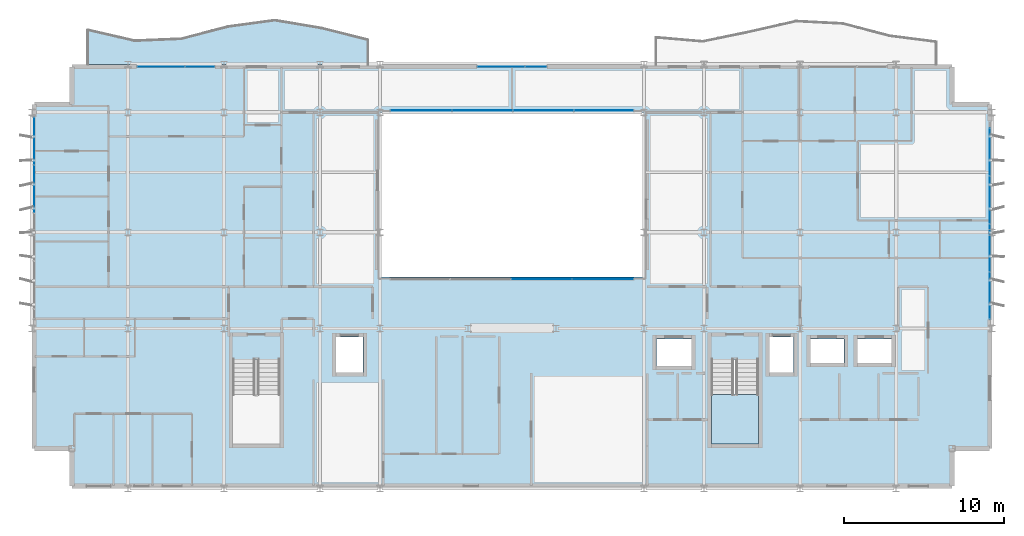
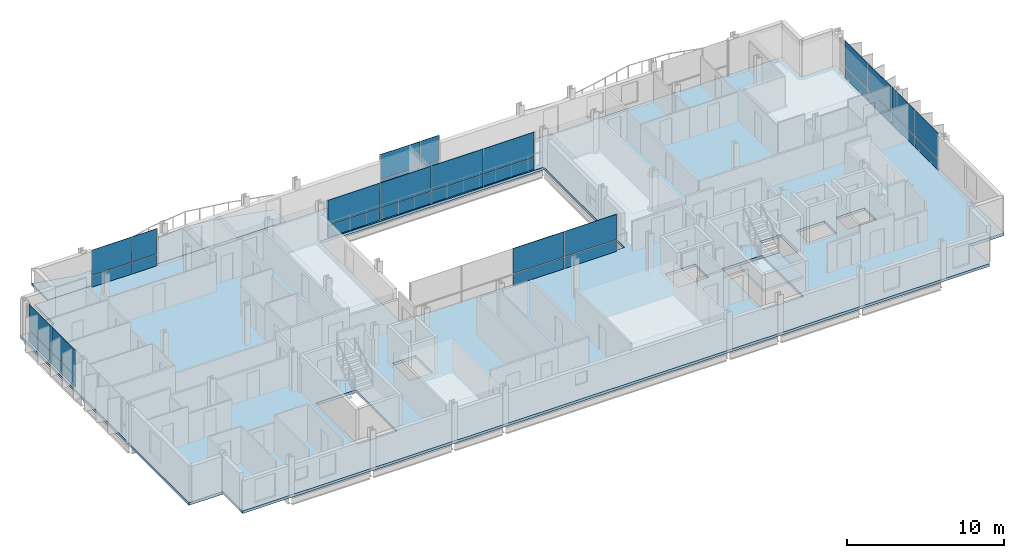
# One storey, part 26 of 38: 32 plates, 3 slabs, 7 elements without a shape of their own.
"""IFC4 building model written with IfcOpenShell, lengths in metres."""

from ifc_helpers import new_model, si_unit, direction, frame, origin, origin_2d, place, context, subcontext, project, spatial, polyline, rectangle, outline, extrude, material, layer, layer_set, type_object, element, aggregate, save


model = new_model("IFC4")

# Units and contexts
model_context = context("Model", 3, precision=1e-05, world=origin(), true_north=direction((0.0, 1.0)))
body_context = subcontext(model_context, "Body", "Model", "MODEL_VIEW")
ifc_project = project(units=[si_unit("LENGTHUNIT", "METRE"), si_unit("AREAUNIT", "SQUARE_METRE"), si_unit("VOLUMEUNIT", "CUBIC_METRE"), si_unit("PLANEANGLEUNIT", "RADIAN"), si_unit("MASSUNIT", "GRAM", prefix="KILO")], contexts=[model_context])

# Site, building, storey
site_placement = place(None, origin())
site = spatial("IfcSite", under=ifc_project, at=site_placement, CompositionType="ELEMENT")
building_placement = place(site_placement, origin())
building = spatial("IfcBuilding", under=site, at=building_placement, Name="Brevholm Reach", CompositionType="ELEMENT")
storey_placement = place(building_placement, frame((0.0, 0.0, 186.300048828125)))
storey = spatial("IfcBuildingStorey", under=building, at=storey_placement, Name="L56", CompositionType="ELEMENT", Elevation=186.300048828125)

# Curtain wall, plates
ifc_material_1 = material(Name="Dark Anodised Aluminium 6063-T6 and Solar-Control Glass", Category="aluminium")
ifc_layer_1 = layer(ifc_material_1, 0.14990234375)
ifc_layer_set_1 = layer_set([ifc_layer_1], Name="Dark Anodised Aluminium 6063-T6 and Solar-Control Glass")
curtain_wall_type_1 = type_object("IfcCurtainWallType", Name="CW-01", PredefinedType="NOTDEFINED", material=ifc_layer_set_1)
curtain_wall_1_placement = place(storey_placement, origin())
curtain_wall_1 = element("IfcCurtainWall", 1, at=curtain_wall_1_placement, inside=storey, type_object=curtain_wall_type_1, Name="L56 Curtain Wall CW-01", PredefinedType="NOTDEFINED")
ifc_material_2 = material(Name="Dark Solar-Control Double-Glazed IGU Glass", Category="glass")
ifc_layer_2 = layer(ifc_material_2, 0.028076171875)
ifc_layer_set_2 = layer_set([ifc_layer_2], Name="Dark Solar-Control Double-Glazed IGU Glass")
plate_type_1 = type_object("IfcPlateType", Name="CWP-GLZ-28", PredefinedType="CURTAIN_PANEL", material=ifc_layer_set_2)
plate_1_placement = place(storey_placement, frame((0.14990234375, 21.703857421875, 0.0), z_axis=(0.0, 0.0, 1.0), x_axis=(0.0, -1.0, 0.0)))
plate_1 = element("IfcPlate", 2, at=plate_1_placement, type_object=plate_type_1, Name="CP-01 Glazing Panel 1.1", PredefinedType="CURTAIN_PANEL", context=body_context, shape_type="SweptSolid", body=[
    extrude(rectangle(XDim=2.902587890625, YDim=0.028076171875, at=origin_2d()), origin(), (0.0, 0.0, 1.0), 0.867431640625),
])
plate_2_placement = place(storey_placement, frame((0.14990234375, 21.703857421875, 0.932373046875), z_axis=(0.0, 0.0, 1.0), x_axis=(0.0, -1.0, 0.0)))
plate_2 = element("IfcPlate", 3, at=plate_2_placement, type_object=plate_type_1, Name="CP-01 Glazing Panel 1.2", PredefinedType="CURTAIN_PANEL", context=body_context, shape_type="SweptSolid", body=[
    extrude(rectangle(XDim=2.902587890625, YDim=0.028076171875, at=origin_2d()), origin(), (0.0, 0.0, 1.0), 1.95751953125),
])
plate_3_placement = place(storey_placement, frame((0.14990234375, 18.719970703125, 0.0), z_axis=(0.0, 0.0, 1.0), x_axis=(0.0, -1.0, 0.0)))
plate_3 = element("IfcPlate", 4, at=plate_3_placement, type_object=plate_type_1, Name="CP-01 Glazing Panel 2.1", PredefinedType="CURTAIN_PANEL", context=body_context, shape_type="SweptSolid", body=[
    extrude(rectangle(XDim=2.93505859375, YDim=0.028076171875, at=origin_2d()), origin(), (0.0, 0.0, 1.0), 0.867431640625),
])
plate_4_placement = place(storey_placement, frame((0.14990234375, 18.719970703125, 0.932373046875), z_axis=(0.0, 0.0, 1.0), x_axis=(0.0, -1.0, 0.0)))
plate_4 = element("IfcPlate", 5, at=plate_4_placement, type_object=plate_type_1, Name="CP-01 Glazing Panel 2.2", PredefinedType="CURTAIN_PANEL", context=body_context, shape_type="SweptSolid", body=[
    extrude(rectangle(XDim=2.93505859375, YDim=0.028076171875, at=origin_2d()), origin(), (0.0, 0.0, 1.0), 1.95751953125),
])
aggregate(curtain_wall_1, [plate_1, plate_2, plate_3, plate_4])

curtain_wall_2_placement = place(storey_placement, origin())
curtain_wall_2 = element("IfcCurtainWall", 6, at=curtain_wall_2_placement, inside=storey, type_object=curtain_wall_type_1, Name="L56 Curtain Wall CW-01", PredefinedType="NOTDEFINED")
plate_5_placement = place(storey_placement, frame((59.85009765625, 12.066162109375, 0.0), z_axis=(0.0, 0.0, 1.0), x_axis=(0.0, 1.0, 0.0)))
plate_5 = element("IfcPlate", 7, at=plate_5_placement, type_object=plate_type_1, Name="CP-01 Glazing Panel 1.1", PredefinedType="CURTAIN_PANEL", context=body_context, shape_type="SweptSolid", body=[
    extrude(rectangle(XDim=2.902587890625, YDim=0.028076171875, at=origin_2d()), origin(), (0.0, 0.0, 1.0), 0.867431640625),
])
plate_6_placement = place(storey_placement, frame((59.85009765625, 12.066162109375, 0.932373046875), z_axis=(0.0, 0.0, 1.0), x_axis=(0.0, 1.0, 0.0)))
plate_6 = element("IfcPlate", 8, at=plate_6_placement, type_object=plate_type_1, Name="CP-01 Glazing Panel 1.2", PredefinedType="CURTAIN_PANEL", context=body_context, shape_type="SweptSolid", body=[
    extrude(rectangle(XDim=2.902587890625, YDim=0.028076171875, at=origin_2d()), origin(), (0.0, 0.0, 1.0), 1.95751953125),
])
plate_7_placement = place(storey_placement, frame((59.85009765625, 15.050048828125, 0.0), z_axis=(0.0, 0.0, 1.0), x_axis=(0.0, 1.0, 0.0)))
plate_7 = element("IfcPlate", 9, at=plate_7_placement, type_object=plate_type_1, Name="CP-01 Glazing Panel 2.1", PredefinedType="CURTAIN_PANEL", context=body_context, shape_type="SweptSolid", body=[
    extrude(rectangle(XDim=2.93505859375, YDim=0.028076171875, at=origin_2d()), origin(), (0.0, 0.0, 1.0), 0.867431640625),
])
plate_8_placement = place(storey_placement, frame((59.85009765625, 15.050048828125, 0.932373046875), z_axis=(0.0, 0.0, 1.0), x_axis=(0.0, 1.0, 0.0)))
plate_8 = element("IfcPlate", 10, at=plate_8_placement, type_object=plate_type_1, Name="CP-01 Glazing Panel 2.2", PredefinedType="CURTAIN_PANEL", context=body_context, shape_type="SweptSolid", body=[
    extrude(rectangle(XDim=2.93505859375, YDim=0.028076171875, at=origin_2d()), origin(), (0.0, 0.0, 1.0), 1.95751953125),
])
plate_9_placement = place(storey_placement, frame((59.85009765625, 18.050048828125, 0.0), z_axis=(0.0, 0.0, 1.0), x_axis=(0.0, 1.0, 0.0)))
plate_9 = element("IfcPlate", 11, at=plate_9_placement, type_object=plate_type_1, Name="CP-01 Glazing Panel 3.1", PredefinedType="CURTAIN_PANEL", context=body_context, shape_type="SweptSolid", body=[
    extrude(rectangle(XDim=2.93505859375, YDim=0.028076171875, at=origin_2d()), origin(), (0.0, 0.0, 1.0), 0.867431640625),
])
plate_10_placement = place(storey_placement, frame((59.85009765625, 18.050048828125, 0.932373046875), z_axis=(0.0, 0.0, 1.0), x_axis=(0.0, 1.0, 0.0)))
plate_10 = element("IfcPlate", 12, at=plate_10_placement, type_object=plate_type_1, Name="CP-01 Glazing Panel 3.2", PredefinedType="CURTAIN_PANEL", context=body_context, shape_type="SweptSolid", body=[
    extrude(rectangle(XDim=2.93505859375, YDim=0.028076171875, at=origin_2d()), origin(), (0.0, 0.0, 1.0), 1.95751953125),
])
plate_11_placement = place(storey_placement, frame((59.85009765625, 21.050048828125, 0.0), z_axis=(0.0, 0.0, 1.0), x_axis=(0.0, 1.0, 0.0)))
plate_11 = element("IfcPlate", 13, at=plate_11_placement, type_object=plate_type_1, Name="CP-01 Glazing Panel 4.1", PredefinedType="CURTAIN_PANEL", context=body_context, shape_type="SweptSolid", body=[
    extrude(rectangle(XDim=2.93505859375, YDim=0.028076171875, at=origin_2d()), origin(), (0.0, 0.0, 1.0), 0.867431640625),
])
plate_12_placement = place(storey_placement, frame((59.85009765625, 21.050048828125, 0.932373046875), z_axis=(0.0, 0.0, 1.0), x_axis=(0.0, 1.0, 0.0)))
plate_12 = element("IfcPlate", 14, at=plate_12_placement, type_object=plate_type_1, Name="CP-01 Glazing Panel 4.2", PredefinedType="CURTAIN_PANEL", context=body_context, shape_type="SweptSolid", body=[
    extrude(rectangle(XDim=2.93505859375, YDim=0.028076171875, at=origin_2d()), origin(), (0.0, 0.0, 1.0), 1.95751953125),
])
aggregate(curtain_wall_2, [plate_5, plate_6, plate_7, plate_8, plate_9, plate_10, plate_11, plate_12])

curtain_wall_3_placement = place(storey_placement, origin())
curtain_wall_3 = element("IfcCurtainWall", 15, at=curtain_wall_3_placement, inside=storey, type_object=curtain_wall_type_1, Name="L56 Curtain Wall CW-01", PredefinedType="NOTDEFINED")
plate_13_placement = place(storey_placement, frame((8.066162109375, 26.35009765625, 0.0), z_axis=(0.0, 0.0, 1.0), x_axis=(1.0, 0.0, 0.0)))
plate_13 = element("IfcPlate", 16, at=plate_13_placement, type_object=plate_type_1, Name="CP-01 Glazing Panel 1.1", PredefinedType="CURTAIN_PANEL", context=body_context, shape_type="SweptSolid", body=[
    extrude(rectangle(XDim=2.902587890625, YDim=0.028076171875, at=origin_2d()), origin(), (0.0, 0.0, 1.0), 0.867431640625),
])
plate_14_placement = place(storey_placement, frame((8.066162109375, 26.35009765625, 0.932373046875), z_axis=(0.0, 0.0, 1.0), x_axis=(1.0, 0.0, 0.0)))
plate_14 = element("IfcPlate", 17, at=plate_14_placement, type_object=plate_type_1, Name="CP-01 Glazing Panel 1.2", PredefinedType="CURTAIN_PANEL", context=body_context, shape_type="SweptSolid", body=[
    extrude(rectangle(XDim=2.902587890625, YDim=0.028076171875, at=origin_2d()), origin(), (0.0, 0.0, 1.0), 1.95751953125),
])
plate_15_placement = place(storey_placement, frame((10.483642578125, 26.35009765625, 0.0), z_axis=(0.0, 0.0, 1.0), x_axis=(1.0, 0.0, 0.0)))
plate_15 = element("IfcPlate", 18, at=plate_15_placement, type_object=plate_type_1, Name="CP-01 Glazing Panel 2.1", PredefinedType="CURTAIN_PANEL", context=body_context, shape_type="SweptSolid", body=[
    extrude(rectangle(XDim=1.802490234375, YDim=0.028076171875, at=origin_2d()), origin(), (0.0, 0.0, 1.0), 0.867431640625),
])
plate_16_placement = place(storey_placement, frame((10.483642578125, 26.35009765625, 0.932373046875), z_axis=(0.0, 0.0, 1.0), x_axis=(1.0, 0.0, 0.0)))
plate_16 = element("IfcPlate", 19, at=plate_16_placement, type_object=plate_type_1, Name="CP-01 Glazing Panel 2.2", PredefinedType="CURTAIN_PANEL", context=body_context, shape_type="SweptSolid", body=[
    extrude(rectangle(XDim=1.802490234375, YDim=0.028076171875, at=origin_2d()), origin(), (0.0, 0.0, 1.0), 1.95751953125),
])
aggregate(curtain_wall_3, [plate_13, plate_14, plate_15, plate_16])

curtain_wall_4_placement = place(storey_placement, origin())
curtain_wall_4 = element("IfcCurtainWall", 20, at=curtain_wall_4_placement, inside=storey, type_object=curtain_wall_type_1, Name="L56 Curtain Wall CW-01", PredefinedType="NOTDEFINED")
plate_17_placement = place(storey_placement, frame((29.316162109375, 26.35009765625, 0.0), z_axis=(0.0, 0.0, 1.0), x_axis=(1.0, 0.0, 0.0)))
plate_17 = element("IfcPlate", 21, at=plate_17_placement, type_object=plate_type_1, Name="CP-01 Glazing Panel 1.1", PredefinedType="CURTAIN_PANEL", context=body_context, shape_type="SweptSolid", body=[
    extrude(rectangle(XDim=2.902587890625, YDim=0.028076171875, at=origin_2d()), origin(), (0.0, 0.0, 1.0), 0.867431640625),
])
plate_18_placement = place(storey_placement, frame((29.316162109375, 26.35009765625, 0.932373046875), z_axis=(0.0, 0.0, 1.0), x_axis=(1.0, 0.0, 0.0)))
plate_18 = element("IfcPlate", 22, at=plate_18_placement, type_object=plate_type_1, Name="CP-01 Glazing Panel 1.2", PredefinedType="CURTAIN_PANEL", context=body_context, shape_type="SweptSolid", body=[
    extrude(rectangle(XDim=2.902587890625, YDim=0.028076171875, at=origin_2d()), origin(), (0.0, 0.0, 1.0), 1.95751953125),
])
plate_19_placement = place(storey_placement, frame((31.483642578125, 26.35009765625, 0.0), z_axis=(0.0, 0.0, 1.0), x_axis=(1.0, 0.0, 0.0)))
plate_19 = element("IfcPlate", 23, at=plate_19_placement, type_object=plate_type_1, Name="CP-01 Glazing Panel 2.1", PredefinedType="CURTAIN_PANEL", context=body_context, shape_type="SweptSolid", body=[
    extrude(rectangle(XDim=1.302490234375, YDim=0.028076171875, at=origin_2d()), origin(), (0.0, 0.0, 1.0), 0.867431640625),
])
plate_20_placement = place(storey_placement, frame((31.483642578125, 26.35009765625, 0.932373046875), z_axis=(0.0, 0.0, 1.0), x_axis=(1.0, 0.0, 0.0)))
plate_20 = element("IfcPlate", 24, at=plate_20_placement, type_object=plate_type_1, Name="CP-01 Glazing Panel 2.2", PredefinedType="CURTAIN_PANEL", context=body_context, shape_type="SweptSolid", body=[
    extrude(rectangle(XDim=1.302490234375, YDim=0.028076171875, at=origin_2d()), origin(), (0.0, 0.0, 1.0), 1.95751953125),
])
aggregate(curtain_wall_4, [plate_17, plate_18, plate_19, plate_20])

ifc_material_3 = material(Name="Dark Anodised Aluminium 6063-T6 and Solar-Control Glass", Category="aluminium")
ifc_layer_3 = layer(ifc_material_3, 0.139892578125)
ifc_layer_set_3 = layer_set([ifc_layer_3], Name="Dark Anodised Aluminium 6063-T6 and Solar-Control Glass")
curtain_wall_type_2 = type_object("IfcCurtainWallType", Name="CW-02", PredefinedType="NOTDEFINED", material=ifc_layer_set_3)
curtain_wall_5_placement = place(storey_placement, origin())
curtain_wall_5 = element("IfcCurtainWall", 25, at=curtain_wall_5_placement, inside=storey, type_object=curtain_wall_type_2, Name="L56 Curtain Wall CW-02", PredefinedType="NOTDEFINED")
ifc_material_4 = material(Name="Low-Iron Laminated Acoustic Glass", Category="glass")
ifc_layer_4 = layer(ifc_material_4, 0.035888671875)
ifc_layer_set_4 = layer_set([ifc_layer_4], Name="Low-Iron Laminated Acoustic Glass")
plate_type_2 = type_object("IfcPlateType", Name="CWP-GLZ-36", PredefinedType="CURTAIN_PANEL", material=ifc_layer_set_4)
plate_21_placement = place(storey_placement, frame((31.85009765625, 13.080078125, 0.0), z_axis=(0.0, 0.0, 1.0), x_axis=(1.0, 0.0, 0.0)))
plate_21 = element("IfcPlate", 26, at=plate_21_placement, type_object=plate_type_2, Name="CP-02 Glazing Panel 3.1", PredefinedType="CURTAIN_PANEL", context=body_context, shape_type="SweptSolid", body=[
    extrude(rectangle(XDim=3.739990234375, YDim=0.035888671875, at=origin_2d()), origin(), (0.0, 0.0, 1.0), 0.8701171875),
])
plate_22_placement = place(storey_placement, frame((31.85009765625, 13.080078125, 0.929931640625), z_axis=(0.0, 0.0, 1.0), x_axis=(1.0, 0.0, 0.0)))
plate_22 = element("IfcPlate", 27, at=plate_22_placement, type_object=plate_type_2, Name="CP-02 Glazing Panel 3.2", PredefinedType="CURTAIN_PANEL", context=body_context, shape_type="SweptSolid", body=[
    extrude(rectangle(XDim=3.739990234375, YDim=0.035888671875, at=origin_2d()), origin(), (0.0, 0.0, 1.0), 1.9599609375),
])
plate_23_placement = place(storey_placement, frame((35.68505859375, 13.080078125, 0.0), z_axis=(0.0, 0.0, 1.0), x_axis=(1.0, 0.0, 0.0)))
plate_23 = element("IfcPlate", 28, at=plate_23_placement, type_object=plate_type_2, Name="CP-02 Glazing Panel 4.1", PredefinedType="CURTAIN_PANEL", context=body_context, shape_type="SweptSolid", body=[
    extrude(rectangle(XDim=3.81005859375, YDim=0.035888671875, at=origin_2d()), origin(), (0.0, 0.0, 1.0), 0.8701171875),
])
plate_24_placement = place(storey_placement, frame((35.68505859375, 13.080078125, 0.929931640625), z_axis=(0.0, 0.0, 1.0), x_axis=(1.0, 0.0, 0.0)))
plate_24 = element("IfcPlate", 29, at=plate_24_placement, type_object=plate_type_2, Name="CP-02 Glazing Panel 4.2", PredefinedType="CURTAIN_PANEL", context=body_context, shape_type="SweptSolid", body=[
    extrude(rectangle(XDim=3.81005859375, YDim=0.035888671875, at=origin_2d()), origin(), (0.0, 0.0, 1.0), 1.9599609375),
])
aggregate(curtain_wall_5, [plate_21, plate_22, plate_23, plate_24])

curtain_wall_6_placement = place(storey_placement, origin())
curtain_wall_6 = element("IfcCurtainWall", 30, at=curtain_wall_6_placement, inside=storey, type_object=curtain_wall_type_2, Name="L56 Curtain Wall CW-02", PredefinedType="NOTDEFINED")
plate_25_placement = place(storey_placement, frame((35.735107421875, 23.6201171875, 0.0), z_axis=(0.0, 0.0, 1.0), x_axis=(-1.0, 0.0, 0.0)))
plate_25 = element("IfcPlate", 31, at=plate_25_placement, type_object=plate_type_2, Name="CP-02 Glazing Panel 1.1", PredefinedType="CURTAIN_PANEL", context=body_context, shape_type="SweptSolid", body=[
    extrude(rectangle(XDim=3.7099609375, YDim=0.035888671875, at=origin_2d()), origin(), (0.0, 0.0, 1.0), 0.8701171875),
])
plate_26_placement = place(storey_placement, frame((35.735107421875, 23.6201171875, 0.929931640625), z_axis=(0.0, 0.0, 1.0), x_axis=(-1.0, 0.0, 0.0)))
plate_26 = element("IfcPlate", 32, at=plate_26_placement, type_object=plate_type_2, Name="CP-02 Glazing Panel 1.2", PredefinedType="CURTAIN_PANEL", context=body_context, shape_type="SweptSolid", body=[
    extrude(rectangle(XDim=3.7099609375, YDim=0.035888671875, at=origin_2d()), origin(), (0.0, 0.0, 1.0), 1.9599609375),
])
plate_27_placement = place(storey_placement, frame((31.949951171875, 23.6201171875, 0.0), z_axis=(0.0, 0.0, 1.0), x_axis=(-1.0, 0.0, 0.0)))
plate_27 = element("IfcPlate", 33, at=plate_27_placement, type_object=plate_type_2, Name="CP-02 Glazing Panel 2.1", PredefinedType="CURTAIN_PANEL", context=body_context, shape_type="SweptSolid", body=[
    extrude(rectangle(XDim=3.739990234375, YDim=0.035888671875, at=origin_2d()), origin(), (0.0, 0.0, 1.0), 0.8701171875),
])
plate_28_placement = place(storey_placement, frame((31.949951171875, 23.6201171875, 0.929931640625), z_axis=(0.0, 0.0, 1.0), x_axis=(-1.0, 0.0, 0.0)))
plate_28 = element("IfcPlate", 34, at=plate_28_placement, type_object=plate_type_2, Name="CP-02 Glazing Panel 2.2", PredefinedType="CURTAIN_PANEL", context=body_context, shape_type="SweptSolid", body=[
    extrude(rectangle(XDim=3.739990234375, YDim=0.035888671875, at=origin_2d()), origin(), (0.0, 0.0, 1.0), 1.9599609375),
])
plate_29_placement = place(storey_placement, frame((28.14990234375, 23.6201171875, 0.0), z_axis=(0.0, 0.0, 1.0), x_axis=(-1.0, 0.0, 0.0)))
plate_29 = element("IfcPlate", 35, at=plate_29_placement, type_object=plate_type_2, Name="CP-02 Glazing Panel 3.1", PredefinedType="CURTAIN_PANEL", context=body_context, shape_type="SweptSolid", body=[
    extrude(rectangle(XDim=3.739990234375, YDim=0.035888671875, at=origin_2d()), origin(), (0.0, 0.0, 1.0), 0.8701171875),
])
plate_30_placement = place(storey_placement, frame((28.14990234375, 23.6201171875, 0.929931640625), z_axis=(0.0, 0.0, 1.0), x_axis=(-1.0, 0.0, 0.0)))
plate_30 = element("IfcPlate", 36, at=plate_30_placement, type_object=plate_type_2, Name="CP-02 Glazing Panel 3.2", PredefinedType="CURTAIN_PANEL", context=body_context, shape_type="SweptSolid", body=[
    extrude(rectangle(XDim=3.739990234375, YDim=0.035888671875, at=origin_2d()), origin(), (0.0, 0.0, 1.0), 1.9599609375),
])
plate_31_placement = place(storey_placement, frame((24.31494140625, 23.6201171875, 0.0), z_axis=(0.0, 0.0, 1.0), x_axis=(-1.0, 0.0, 0.0)))
plate_31 = element("IfcPlate", 37, at=plate_31_placement, type_object=plate_type_2, Name="CP-02 Glazing Panel 4.1", PredefinedType="CURTAIN_PANEL", context=body_context, shape_type="SweptSolid", body=[
    extrude(rectangle(XDim=3.81005859375, YDim=0.035888671875, at=origin_2d()), origin(), (0.0, 0.0, 1.0), 0.8701171875),
])
plate_32_placement = place(storey_placement, frame((24.31494140625, 23.6201171875, 0.929931640625), z_axis=(0.0, 0.0, 1.0), x_axis=(-1.0, 0.0, 0.0)))
plate_32 = element("IfcPlate", 38, at=plate_32_placement, type_object=plate_type_2, Name="CP-02 Glazing Panel 4.2", PredefinedType="CURTAIN_PANEL", context=body_context, shape_type="SweptSolid", body=[
    extrude(rectangle(XDim=3.81005859375, YDim=0.035888671875, at=origin_2d()), origin(), (0.0, 0.0, 1.0), 1.9599609375),
])
aggregate(curtain_wall_6, [plate_25, plate_26, plate_27, plate_28, plate_29, plate_30, plate_31, plate_32])

# Slabs
ifc_material_5 = material(Name="Precast Concrete C45/55", Category="concrete")
ifc_layer_5 = layer(ifc_material_5, 0.14990234375)
ifc_layer_set_5 = layer_set([ifc_layer_5], Name="Precast Concrete C45/55")
slab_type_1 = type_object("IfcSlabType", Name="SLB-BAL-150", PredefinedType="FLOOR", material=ifc_layer_set_5)
slab_1_placement = place(storey_placement, frame((0.0, 0.0, -0.150146484375)))
element("IfcSlab", 39, at=slab_1_placement, inside=storey, type_object=slab_type_1, Name="L56 Rippling External Balcony NW", PredefinedType="FLOOR", context=body_context, shape_type="SweptSolid", body=[
    extrude(outline(polyline([(3.5, 26.5), (21.0, 26.5), (21.0, 28.02880859375), (18.083251953125, 28.760986328125), (15.166748046875, 29.248291015625), (12.25, 28.849609375), (9.333251953125, 28.08935546875), (6.416748046875, 27.96826171875), (3.5, 28.6455078125), (3.5, 26.5)])), origin(), (0.0, 0.0, 1.0), 0.150146484375),
])
ifc_material_6 = material(Name="Concrete C40/50", Category="concrete")
ifc_layer_6 = layer(ifc_material_6, 0.2099609375)
ifc_layer_set_6 = layer_set([ifc_layer_6], Name="Concrete C40/50")
slab_type_2 = type_object("IfcSlabType", Name="SLB-FL-210", PredefinedType="FLOOR", material=ifc_layer_set_6)
slab_2_placement = place(storey_placement, frame((0.0, 0.0, -0.2099609375)))
element("IfcSlab", 40, at=slab_2_placement, inside=storey, type_object=slab_type_2, Name="L56 Suspended Floor Slab (main)", PredefinedType="FLOOR", context=body_context, shape_type="SweptSolid", body=[
    extrude(outline(polyline([(2.5, 0.0), (57.5, 0.0), (57.5, 2.5), (60.0, 2.5), (60.0, 24.0), (57.5, 24.0), (57.5, 26.5), (2.5, 26.5), (2.5, 24.0), (0.0, 24.0), (0.0, 2.5), (2.5, 2.5), (2.5, 0.0)]), holes=[polyline([(21.75, 13.199951171875), (38.25, 13.199951171875), (38.25, 23.5), (21.75, 23.5), (21.75, 13.199951171875)]), polyline([(12.550048828125, 2.780029296875), (15.5, 2.780029296875), (15.5, 8.044921875), (12.550048828125, 8.044921875), (12.550048828125, 2.780029296875)]), polyline([(42.449951171875, 2.780029296875), (45.39990234375, 2.780029296875), (45.39990234375, 8.044921875), (42.449951171875, 8.044921875), (42.449951171875, 2.780029296875)]), polyline([(19.0, 7.25), (20.699951171875, 7.25), (20.699951171875, 9.449951171875), (19.0, 9.449951171875), (19.0, 7.25)]), polyline([(46.10009765625, 7.25), (47.60009765625, 7.25), (47.60009765625, 9.449951171875), (46.10009765625, 9.449951171875), (46.10009765625, 7.25)]), polyline([(39.02001953125, 7.64990234375), (41.219970703125, 7.64990234375), (41.219970703125, 9.35009765625), (39.02001953125, 9.35009765625), (39.02001953125, 7.64990234375)]), polyline([(48.64990234375, 7.85009765625), (50.75, 7.85009765625), (50.75, 9.35009765625), (48.64990234375, 9.35009765625), (48.64990234375, 7.85009765625)]), polyline([(51.60009765625, 7.85009765625), (53.699951171875, 7.85009765625), (53.699951171875, 9.35009765625), (51.60009765625, 9.35009765625), (51.60009765625, 7.85009765625)])]), origin(), (0.0, 0.0, 1.0), 0.2099609375),
])

# Stair, slab
ifc_material_7 = material(Name="Precast Concrete C40/50", Category="concrete")
stair_type = type_object("IfcStairType", Name="STR-ESC-1400", PredefinedType="DOUBLE_RETURN_STAIR", material=ifc_material_7)
stair_placement = place(storey_placement, origin())
stair = element("IfcStair", 41, at=stair_placement, inside=storey, type_object=stair_type, Name="L56 ST-2", PredefinedType="DOUBLE_RETURN_STAIR")
ifc_material_8 = material(Name="Concrete C40/50", Category="concrete")
ifc_layer_7 = layer(ifc_material_8, 0.199951171875)
ifc_layer_set_7 = layer_set([ifc_layer_7], Name="Concrete C40/50")
slab_type_3 = type_object("IfcSlabType", Name="SLB-LND-200", PredefinedType="LANDING", material=ifc_layer_set_7)
slab_3_placement = place(storey_placement, frame((0.0, 0.0, 1.349853515625)))
slab_3 = element("IfcSlab", 42, at=slab_3_placement, type_object=slab_type_3, Name="ST-2 landing 1", PredefinedType="LANDING", context=body_context, shape_type="SweptSolid", body=[
    extrude(outline(polyline([(42.449951171875, 5.860107421875), (42.449951171875, 2.780029296875), (45.39990234375, 2.780029296875), (45.39990234375, 5.860107421875), (42.449951171875, 5.860107421875)])), origin(), (0.0, 0.0, 1.0), 0.2001953125),
])
aggregate(stair, [slab_3])

save(model, "model.ifc")
